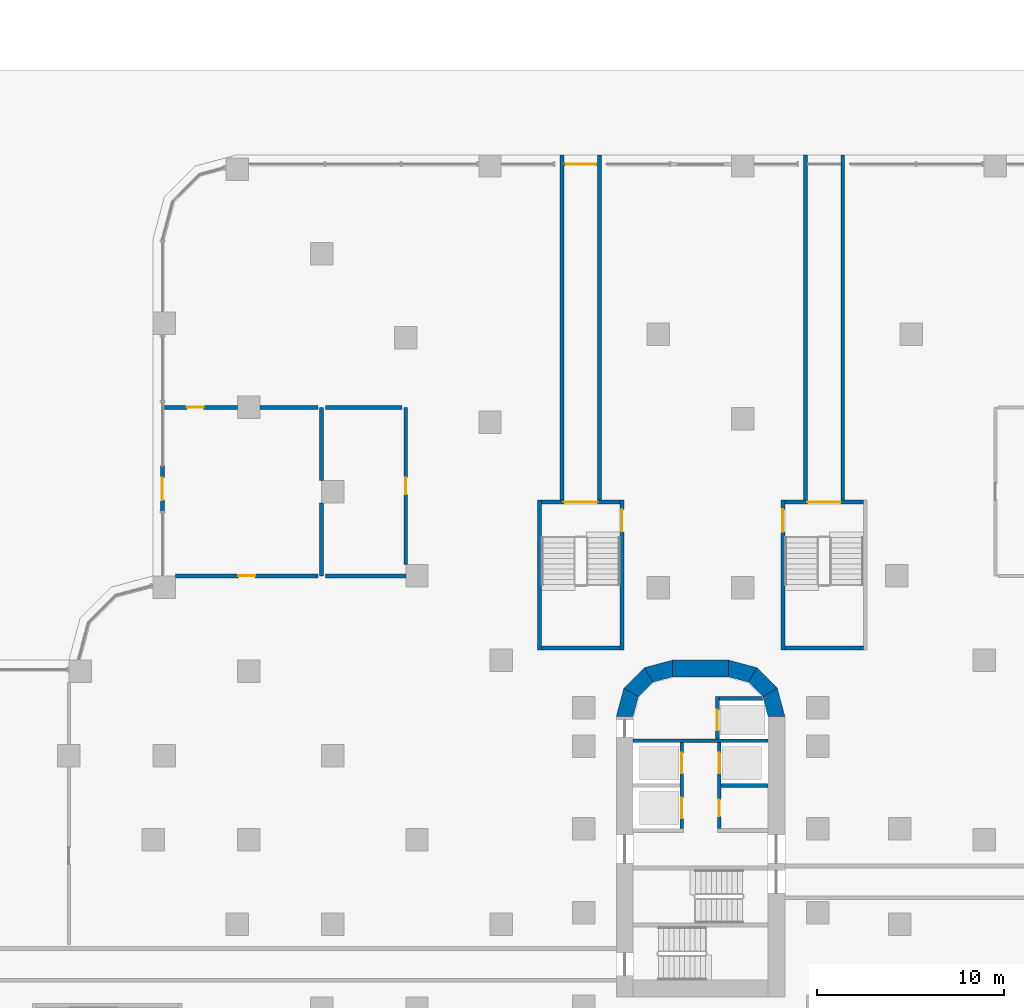
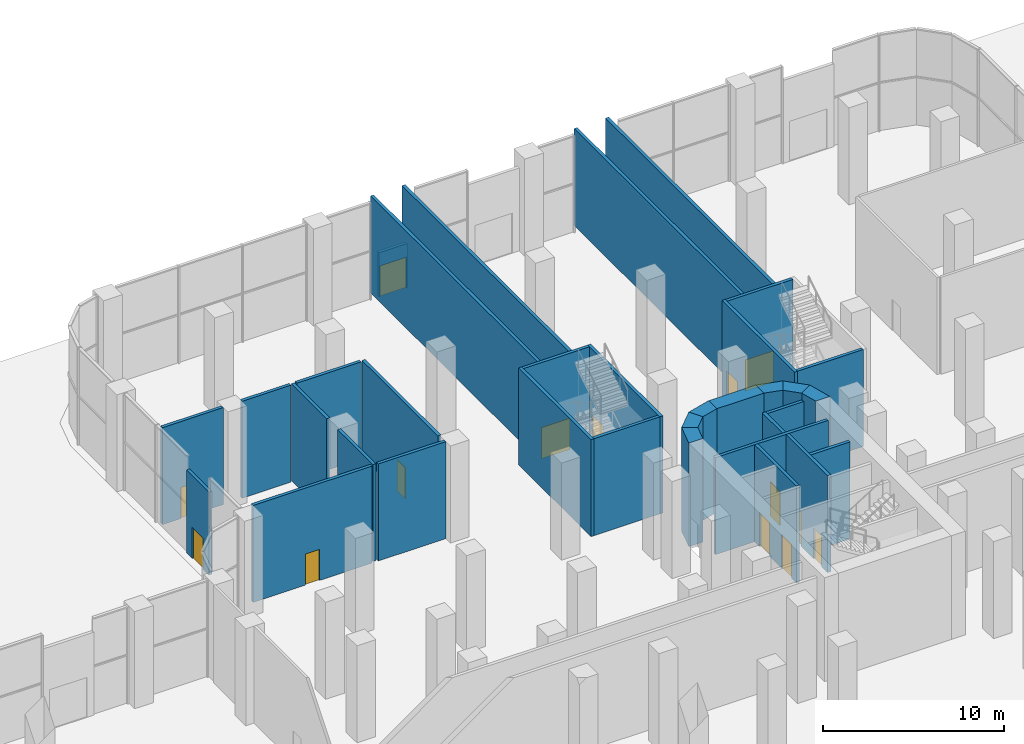
# One storey, part 25 of 34: 34 walls, 14 doors, 14 openings.
"""IFC4 building model written with IfcOpenShell, lengths in metres."""

import ifcopenshell
import ifcopenshell.guid

model = None  # the IFC model being written
_history = None  # IfcOwnerHistory: only IFC2X3 demands one
_inside = {}  # id of a spatial element -> (the spatial element, [elements in it])
_under = {}  # id of a project, library or spatial element -> (it, [spatial elements below it])
_declared = {}  # id of a project -> (the project, [libraries it declares])
_typed = {}  # id of a type object -> (the type object, [elements of that type])
_made_of = {}  # id of a material, layer set ... -> (it, [elements and type objects made of it])


def new_model(schema):
    """Start an empty IFC model of exactly this schema.

    Asked for "IFC4X3", IfcOpenShell would pick the latest addendum, in which some entities
    have other attributes; the version numbers below select the first issue.
    IFC2X3 requires an IfcOwnerHistory on every rooted entity: one is made here for all.
    """
    global model, _history
    if schema == "IFC4X3":
        model = ifcopenshell.file(schema_version=(4, 3, 0, 0))
    else:
        model = ifcopenshell.file(schema=schema)
    _inside.clear()
    _under.clear()
    _declared.clear()
    _typed.clear()
    _made_of.clear()
    _history = None
    if model.schema == "IFC2X3":
        org = make("IfcOrganization", Name="unknown")
        user = make(
            "IfcPersonAndOrganization",
            ThePerson=make("IfcPerson", FamilyName="unknown"),
            TheOrganization=org,
        )
        app = make(
            "IfcApplication",
            ApplicationDeveloper=org,
            Version="unknown",
            ApplicationFullName="unknown",
            ApplicationIdentifier="unknown",
        )
        _history = make(
            "IfcOwnerHistory",
            OwningUser=user,
            OwningApplication=app,
            ChangeAction="ADDED",
            CreationDate=0,
        )
    return model


def make(cls, **values):
    """One entity of the class cls with the attributes given. An attribute that is None is left unset."""
    return model.create_entity(
        cls, **{name: value for name, value in values.items() if value is not None}
    )


def rooted(cls, **values):
    """An entity with a GlobalId (a new one), such as an element, a storey or a relation."""
    return make(cls, GlobalId=ifcopenshell.guid.new(), OwnerHistory=_history, **values)


def si_unit(unit_type, name, prefix=None):
    """IfcSIUnit, for example si_unit("LENGTHUNIT", "METRE", prefix="MILLI")."""
    return make("IfcSIUnit", UnitType=unit_type, Prefix=prefix, Name=name)


def assignment(units):
    """IfcUnitAssignment: the units of a project."""
    return None if units is None else make("IfcUnitAssignment", Units=units)


def point(xyz):
    """IfcCartesianPoint."""
    return None if xyz is None else make("IfcCartesianPoint", Coordinates=xyz)


def direction(xyz):
    """IfcDirection."""
    return None if xyz is None else make("IfcDirection", DirectionRatios=xyz)


def frame(location, z_axis=None, x_axis=None):
    """IfcAxis2Placement3D, a coordinate frame: its origin and axes. An axis left out is left unset."""
    return make(
        "IfcAxis2Placement3D",
        Location=point(location),
        Axis=direction(z_axis),
        RefDirection=direction(x_axis),
    )


def frame_2d(location, x_axis=None):
    """IfcAxis2Placement2D, a coordinate frame in the plane: its origin and x axis."""
    return make(
        "IfcAxis2Placement2D", Location=point(location), RefDirection=direction(x_axis)
    )


def origin():
    """The frame at (0, 0, 0) with its axes left unset."""
    return frame((0.0, 0.0, 0.0))


def place(relative_to, where):
    """IfcLocalPlacement: puts the frame where relative to a parent placement (None: the world)."""
    return make(
        "IfcLocalPlacement", PlacementRelTo=relative_to, RelativePlacement=where
    )


def context(
    kind, dimensions, precision=None, world=None, true_north=None, identifier=None
):
    """IfcGeometricRepresentationContext, for example the 3D "Model" context."""
    return make(
        "IfcGeometricRepresentationContext",
        ContextIdentifier=identifier,
        ContextType=kind,
        CoordinateSpaceDimension=dimensions,
        Precision=precision,
        WorldCoordinateSystem=world,
        TrueNorth=true_north,
    )


def subcontext(parent, identifier, kind, view, scale=None):
    """IfcGeometricRepresentationSubContext, for example "Body" below "Model"."""
    return make(
        "IfcGeometricRepresentationSubContext",
        ContextIdentifier=identifier,
        ContextType=kind,
        ParentContext=parent,
        TargetScale=scale,
        TargetView=view,
    )


def project(units=None, contexts=None):
    """IfcProject with its units and contexts."""
    return rooted(
        "IfcProject",
        Name="project",
        RepresentationContexts=contexts,
        UnitsInContext=assignment(units),
    )


def spatial(cls, under=None, at=None, **own):
    """A site, building, storey or space (cls), placed at a placement, below another one or the project."""
    s = rooted(cls, ObjectPlacement=at, **own)
    if under is not None:
        _under.setdefault(under.id(), (under, []))[1].append(s)
    return s


def polyline(points):
    """IfcPolyline through the points."""
    return make("IfcPolyline", Points=[point(p) for p in points])


def profile(cls, at=None, kind="AREA", **sizes):
    """A parametric profile (cls). Its sizes go by their IFC names, for example OverallWidth=200.0."""
    return make(cls, ProfileType=kind, Position=at, **sizes)


def rectangle(**sizes):
    """IfcRectangleProfileDef."""
    return profile("IfcRectangleProfileDef", **sizes)


def outline(outer, holes=None, kind="AREA"):
    """IfcArbitraryClosedProfileDef: a profile drawn as a closed curve; with holes, ...WithVoids."""
    if holes is None:
        return make("IfcArbitraryClosedProfileDef", ProfileType=kind, OuterCurve=outer)
    return make(
        "IfcArbitraryProfileDefWithVoids",
        ProfileType=kind,
        OuterCurve=outer,
        InnerCurves=holes,
    )


def extrude(swept, where, along, depth):
    """IfcExtrudedAreaSolid: the profile swept, set in the frame where, extruded along a direction by depth."""
    return make(
        "IfcExtrudedAreaSolid",
        SweptArea=swept,
        Position=where,
        ExtrudedDirection=direction(along),
        Depth=depth,
    )


def shape(context_of_items, identifier, shape_type, items):
    """IfcShapeRepresentation: the items that make up one representation, for example the "Body"."""
    return make(
        "IfcShapeRepresentation",
        ContextOfItems=context_of_items,
        RepresentationIdentifier=identifier,
        RepresentationType=shape_type,
        Items=items,
    )


def material(Name=None, Category=None):
    """IfcMaterial."""
    return make("IfcMaterial", Name=Name, Category=Category)


def layer(
    of_material, thickness, ventilated=None, Name=None, Category=None, Priority=None
):
    """IfcMaterialLayer: one layer of a wall or slab, of a material (None: an air gap)."""
    return make(
        "IfcMaterialLayer",
        Material=of_material,
        LayerThickness=thickness,
        IsVentilated=ventilated,
        Name=Name,
        Category=Category,
        Priority=Priority,
    )


def layer_set(layers, Name=None):
    """IfcMaterialLayerSet."""
    return make("IfcMaterialLayerSet", MaterialLayers=layers, LayerSetName=Name)


def made_of(thing, what):
    """Note that an element or type object is made of a material, layer set ...; save() writes the relation."""
    if what is not None:
        _made_of.setdefault(what.id(), (what, []))[1].append(thing)
    return thing


def type_object(cls, material=None, **own):
    """A type object (cls), such as IfcWallType, which elements share."""
    return made_of(rooted(cls, **own), material)


def element(
    cls,
    number,
    at=None,
    inside=None,
    cuts=None,
    type_object=None,
    material=None,
    context=None,
    identifier="Body",
    shape_type=None,
    held_by="IfcProductDefinitionShape",
    body=None,
    shapes=None,
    **own,
):
    """One element of the class cls, such as IfcWall. Its Tag is "e" and its number.

    at: its placement. inside: the storey or other place that contains it. cuts: it is an
    opening in that element (IfcRelVoidsElement). A single representation is given by context,
    identifier, shape_type and body (its items); several are given by shapes. held_by: the class
    of the entity that holds the representations. save() writes the other relations.
    """
    e = rooted(cls, Tag="e%d" % number, ObjectPlacement=at, **own)
    if body is not None:
        shapes = [shape(context, identifier, shape_type, body)]
    if shapes is not None:
        e.Representation = make(held_by, Representations=shapes)
    if inside is not None:
        _inside.setdefault(inside.id(), (inside, []))[1].append(e)
    if cuts is not None:
        rooted(
            "IfcRelVoidsElement", RelatingBuildingElement=cuts, RelatedOpeningElement=e
        )
    if type_object is not None:
        _typed.setdefault(type_object.id(), (type_object, []))[1].append(e)
    return made_of(e, material)


def fill(opening, filler):
    """IfcRelFillsElement: the door or window that sits in an opening."""
    return rooted(
        "IfcRelFillsElement",
        RelatingOpeningElement=opening,
        RelatedBuildingElement=filler,
    )


def aggregate(whole, parts):
    """IfcRelAggregates: a whole, such as a stair, and the parts it consists of."""
    return rooted("IfcRelAggregates", RelatingObject=whole, RelatedObjects=parts)


def save(model, path):
    """Write the relations noted so far, then the file.

    IfcRelAggregates (storeys below a building ...), IfcRelContainedInSpatialStructure (elements
    in a storey), IfcRelDefinesByType, IfcRelAssociatesMaterial and IfcRelDeclares: one each for
    every whole, place, type object, material and project.
    """
    for whole, parts in _under.values():
        aggregate(whole, parts)
    for where, things in _inside.values():
        rooted(
            "IfcRelContainedInSpatialStructure",
            RelatedElements=things,
            RelatingStructure=where,
        )
    for kind, things in _typed.values():
        rooted("IfcRelDefinesByType", RelatedObjects=things, RelatingType=kind)
    for what, things in _made_of.values():
        rooted("IfcRelAssociatesMaterial", RelatedObjects=things, RelatingMaterial=what)
    for by, libraries in _declared.values():
        rooted("IfcRelDeclares", RelatingContext=by, RelatedDefinitions=libraries)
    model.write(path)


model = new_model("IFC4")

# Units and contexts
model_context = context("Model", 3, precision=1e-05, world=origin(), true_north=direction((0.0, 1.0)))
body_context = subcontext(model_context, "Body", "Model", "MODEL_VIEW")
ifc_project = project(units=[si_unit("LENGTHUNIT", "METRE"), si_unit("AREAUNIT", "SQUARE_METRE"), si_unit("VOLUMEUNIT", "CUBIC_METRE"), si_unit("PLANEANGLEUNIT", "RADIAN"), si_unit("MASSUNIT", "GRAM", prefix="KILO")], contexts=[model_context])

# Site, building, storey
site_placement = place(None, origin())
site = spatial("IfcSite", under=ifc_project, at=site_placement, CompositionType="ELEMENT")
building_placement = place(site_placement, origin())
building = spatial("IfcBuilding", under=site, at=building_placement, Name="Zarbagh Exchange Tower", CompositionType="ELEMENT")
storey_placement = place(building_placement, origin())
storey = spatial("IfcBuildingStorey", under=building, at=storey_placement, Name="L00", CompositionType="ELEMENT", Elevation=0.0)

# Walls
ifc_material_1 = material(Name="Concrete block partition", Category="concrete")
ifc_layer_1 = layer(ifc_material_1, 0.199951171875)
ifc_layer_set_1 = layer_set([ifc_layer_1], Name="Fire-rated block partition 200 EI 120")
wall_type_1 = type_object("IfcWallType", Name="Fire-rated block partition 200 EI 120", PredefinedType="PARTITIONING", material=ifc_layer_set_1)
for number, where, z_axis, x_axis, name in (
    (1, (-20.25, 42.75, 0.0), (0.0, 0.0, 1.0), (0.0, -1.0, 0.0), "WL-L00-W011"),
    (2, (-20.25, 37.64990234375, 0.0), (0.0, 0.0, 1.0), (0.0, -1.0, 0.0), "WL-L00-W012"),
):
    element("IfcWall", number, at=place(storey_placement, frame(where, z_axis=z_axis, x_axis=x_axis)), inside=storey, type_object=wall_type_1, Name=name, PredefinedType="PARTITIONING", context=body_context, shape_type="SweptSolid", body=[
        extrude(rectangle(XDim=3.89990234375, YDim=0.199951171875, at=frame_2d((1.949951171875, 0.0))), origin(), (0.0, 0.0, 1.0), 6.550048828125),
    ])

# Wall, opening, door
wall_1_placement = place(storey_placement, frame((-28.64990234375, 42.75, 0.0), z_axis=(0.0, 0.0, 1.0), x_axis=(1.0, 0.0, 0.0)))
wall_1 = element("IfcWall", 3, at=wall_1_placement, inside=storey, type_object=wall_type_1, Name="WL-L00-W013", PredefinedType="PARTITIONING", context=body_context, shape_type="SweptSolid", body=[
    extrude(rectangle(XDim=3.89990234375, YDim=0.199951171875, at=frame_2d((1.949951171875, 0.0))), origin(), (0.0, 0.0, 1.0), 6.550048828125),
])
opening_1_placement = place(wall_1_placement, frame((1.199951171875, 0.0, 0.0)))
opening_1 = element("IfcOpeningElement", 4, at=opening_1_placement, cuts=wall_1, Name="Opening D36", PredefinedType="OPENING", context=body_context, shape_type="SweptSolid", body=[
    extrude(rectangle(XDim=0.89990234375, YDim=2.10009765625, at=frame_2d((0.449951171875, 1.050048828125))), frame((0.0, 0.10986328125, 0.0), z_axis=(0.0, -1.0, 0.0), x_axis=(1.0, 0.0, 0.0)), (0.0, 0.0, 1.0), 0.219970703125),
])
ifc_material_2 = material(Name="Steel door set", Category="steel")
door_type_1 = type_object("IfcDoorType", Name="Door single 900x2100 EI 120", OperationType="SINGLE_SWING_LEFT", PredefinedType="DOOR", material=ifc_material_2)
door_1_placement = place(opening_1_placement, origin())
door_1 = element("IfcDoor", 5, at=door_1_placement, inside=storey, type_object=door_type_1, Name="D03", OperationType="SINGLE_SWING_LEFT", OverallHeight=2.10009765625, OverallWidth=0.89990234375, PredefinedType="DOOR", context=body_context, shape_type="SweptSolid", body=[
    extrude(rectangle(XDim=0.89990234375, YDim=2.10009765625, at=frame_2d((0.449951171875, 1.050048828125))), frame((0.0, 0.02490234375, 0.0), z_axis=(0.0, -1.0, 0.0), x_axis=(1.0, 0.0, 0.0)), (0.0, 0.0, 1.0), 0.050048828125),
])
fill(opening_1, door_1)

# Wall
wall_2_placement = place(storey_placement, frame((-23.550048828125, 42.75, 0.0), z_axis=(0.0, 0.0, 1.0), x_axis=(1.0, 0.0, 0.0)))
element("IfcWall", 6, at=wall_2_placement, inside=storey, type_object=wall_type_1, Name="WL-L00-W014", PredefinedType="PARTITIONING", context=body_context, shape_type="SweptSolid", body=[
    extrude(rectangle(XDim=3.10009765625, YDim=0.199951171875, at=frame_2d((1.550048828125, 0.0))), origin(), (0.0, 0.0, 1.0), 6.550048828125),
])

# Wall, opening, door
wall_3_placement = place(storey_placement, frame((-28.050048828125, 33.75, 0.0), z_axis=(0.0, 0.0, 1.0), x_axis=(1.0, 0.0, 0.0)))
wall_3 = element("IfcWall", 7, at=wall_3_placement, inside=storey, type_object=wall_type_1, Name="WL-L00-W015", PredefinedType="PARTITIONING", context=body_context, shape_type="SweptSolid", body=[
    extrude(rectangle(XDim=7.60009765625, YDim=0.199951171875, at=frame_2d((3.800048828125, 0.0))), origin(), (0.0, 0.0, 1.0), 6.550048828125),
])
opening_2_placement = place(wall_3_placement, frame((3.35009765625, 0.0, 0.0)))
opening_2 = element("IfcOpeningElement", 8, at=opening_2_placement, cuts=wall_3, Name="Opening D40", PredefinedType="OPENING", context=body_context, shape_type="SweptSolid", body=[
    extrude(rectangle(XDim=0.89990234375, YDim=2.10009765625, at=frame_2d((0.449951171875, 1.050048828125))), frame((0.0, 0.10986328125, 0.0), z_axis=(0.0, -1.0, 0.0), x_axis=(1.0, 0.0, 0.0)), (0.0, 0.0, 1.0), 0.219970703125),
])
door_2_placement = place(opening_2_placement, origin())
door_2 = element("IfcDoor", 9, at=door_2_placement, inside=storey, type_object=door_type_1, Name="D04", OperationType="SINGLE_SWING_LEFT", OverallHeight=2.10009765625, OverallWidth=0.89990234375, PredefinedType="DOOR", context=body_context, shape_type="SweptSolid", body=[
    extrude(rectangle(XDim=0.89990234375, YDim=2.10009765625, at=frame_2d((0.449951171875, 1.050048828125))), frame((0.0, 0.02490234375, 0.0), z_axis=(0.0, -1.0, 0.0), x_axis=(1.0, 0.0, 0.0)), (0.0, 0.0, 1.0), 0.050048828125),
])
fill(opening_2, door_2)

ifc_layer_2 = layer(ifc_material_1, 0.199951171875)
ifc_layer_set_2 = layer_set([ifc_layer_2], Name="Fire-rated block partition 200 EI 60")
wall_type_2 = type_object("IfcWallType", Name="Fire-rated block partition 200 EI 60", PredefinedType="PARTITIONING", material=ifc_layer_set_2)
wall_4_placement = place(storey_placement, frame((-15.75, 34.35009765625, 0.0), z_axis=(0.0, 0.0, 1.0), x_axis=(0.0, 1.0, 0.0)))
wall_4 = element("IfcWall", 10, at=wall_4_placement, inside=storey, type_object=wall_type_2, Name="WL-L00-W009", PredefinedType="PARTITIONING", context=body_context, shape_type="SweptSolid", body=[
    extrude(rectangle(XDim=8.39990234375, YDim=0.199951171875, at=frame_2d((4.199951171875, 0.0))), origin(), (0.0, 0.0, 1.0), 6.550048828125),
])
opening_3_placement = place(wall_4_placement, frame((3.75, 0.0, 0.0)))
opening_3 = element("IfcOpeningElement", 11, at=opening_3_placement, cuts=wall_4, Name="Opening D01", PredefinedType="OPENING", context=body_context, shape_type="SweptSolid", body=[
    extrude(rectangle(XDim=0.89990234375, YDim=2.10009765625, at=frame_2d((0.449951171875, 1.050048828125))), frame((0.0, 0.10986328125, 0.0), z_axis=(0.0, -1.0, 0.0), x_axis=(1.0, 0.0, 0.0)), (0.0, 0.0, 1.0), 0.219970703125),
])
door_type_2 = type_object("IfcDoorType", Name="Door single 900x2100 EI 60", OperationType="SINGLE_SWING_LEFT", PredefinedType="DOOR", material=ifc_material_2)
door_3_placement = place(opening_3_placement, origin())
door_3 = element("IfcDoor", 12, at=door_3_placement, inside=storey, type_object=door_type_2, Name="D01", OperationType="SINGLE_SWING_LEFT", OverallHeight=2.10009765625, OverallWidth=0.89990234375, PredefinedType="DOOR", context=body_context, shape_type="SweptSolid", body=[
    extrude(rectangle(XDim=0.89990234375, YDim=2.10009765625, at=frame_2d((0.449951171875, 1.050048828125))), frame((0.0, 0.02490234375, 0.0), z_axis=(0.0, -1.0, 0.0), x_axis=(1.0, 0.0, 0.0)), (0.0, 0.0, 1.0), 0.050048828125),
])
fill(opening_3, door_3)

# Walls
wall_5_placement = place(storey_placement, frame((-20.050048828125, 42.75, 0.0), z_axis=(0.0, 0.0, 1.0), x_axis=(1.0, 0.0, 0.0)))
element("IfcWall", 13, at=wall_5_placement, inside=storey, type_object=wall_type_2, Name="WL-L00-W016", PredefinedType="PARTITIONING", context=body_context, shape_type="SweptSolid", body=[
    extrude(rectangle(XDim=4.10009765625, YDim=0.199951171875, at=frame_2d((2.050048828125, 0.0))), origin(), (0.0, 0.0, 1.0), 6.550048828125),
])
wall_6_placement = place(storey_placement, frame((-15.75, 33.75, 0.0), z_axis=(0.0, 0.0, 1.0), x_axis=(-1.0, 0.0, 0.0)))
element("IfcWall", 14, at=wall_6_placement, inside=storey, type_object=wall_type_2, Name="WL-L00-W017", PredefinedType="PARTITIONING", context=body_context, shape_type="SweptSolid", body=[
    extrude(rectangle(XDim=4.300048828125, YDim=0.199951171875, at=frame_2d((2.14990234375, 0.0))), origin(), (0.0, 0.0, 1.0), 6.550048828125),
])
ifc_material_3 = material(Name="Concrete C60/75", Category="concrete")
ifc_layer_3 = layer(ifc_material_3, 0.89990234375)
ifc_layer_set_3 = layer_set([ifc_layer_3], Name="RC core corner wall 900 C60/75")
wall_type_3 = type_object("IfcWallType", Name="RC core corner wall 900 C60/75", PredefinedType="SHEAR", material=ifc_layer_set_3)
wall_7_placement = place(storey_placement, origin())
element("IfcWall", 15, at=wall_7_placement, inside=storey, type_object=wall_type_3, Name="CW2 core N corner W", PredefinedType="SHEAR", context=body_context, shape_type="SweptSolid", body=[
    extrude(outline(polyline([(-4.5, 26.25), (-4.09814453125, 27.75), (-3.318603515625, 27.300048828125), (-3.60009765625, 26.25), (-4.5, 26.25)])), origin(), (0.0, 0.0, 1.0), 7.0),
])
wall_8_placement = place(storey_placement, origin())
element("IfcWall", 16, at=wall_8_placement, inside=storey, type_object=wall_type_3, Name="CW2 core N corner W", PredefinedType="SHEAR", context=body_context, shape_type="SweptSolid", body=[
    extrude(outline(polyline([(-4.09814453125, 27.75), (-3.0, 28.84814453125), (-2.550048828125, 28.068603515625), (-3.318603515625, 27.300048828125), (-4.09814453125, 27.75)])), origin(), (0.0, 0.0, 1.0), 7.0),
])
wall_9_placement = place(storey_placement, origin())
element("IfcWall", 17, at=wall_9_placement, inside=storey, type_object=wall_type_3, Name="CW2 core N corner W", PredefinedType="SHEAR", context=body_context, shape_type="SweptSolid", body=[
    extrude(outline(polyline([(-3.0, 28.84814453125), (-1.5, 29.25), (-1.5, 28.35009765625), (-2.550048828125, 28.068603515625), (-3.0, 28.84814453125)])), origin(), (0.0, 0.0, 1.0), 7.0),
])
wall_10_placement = place(storey_placement, origin())
element("IfcWall", 18, at=wall_10_placement, inside=storey, type_object=wall_type_3, Name="CW2 core N corner E", PredefinedType="SHEAR", context=body_context, shape_type="SweptSolid", body=[
    extrude(outline(polyline([(4.5, 26.25), (4.09814453125, 27.75), (3.318603515625, 27.300048828125), (3.60009765625, 26.25), (4.5, 26.25)])), origin(), (0.0, 0.0, 1.0), 7.0),
])
wall_11_placement = place(storey_placement, origin())
element("IfcWall", 19, at=wall_11_placement, inside=storey, type_object=wall_type_3, Name="CW2 core N corner E", PredefinedType="SHEAR", context=body_context, shape_type="SweptSolid", body=[
    extrude(outline(polyline([(4.09814453125, 27.75), (3.0, 28.84814453125), (2.550048828125, 28.068603515625), (3.318603515625, 27.300048828125), (4.09814453125, 27.75)])), origin(), (0.0, 0.0, 1.0), 7.0),
])
wall_12_placement = place(storey_placement, origin())
element("IfcWall", 20, at=wall_12_placement, inside=storey, type_object=wall_type_3, Name="CW2 core N corner E", PredefinedType="SHEAR", context=body_context, shape_type="SweptSolid", body=[
    extrude(outline(polyline([(3.0, 28.84814453125), (1.5, 29.25), (1.5, 28.35009765625), (2.550048828125, 28.068603515625), (3.0, 28.84814453125)])), origin(), (0.0, 0.0, 1.0), 7.0),
])
ifc_layer_4 = layer(ifc_material_3, 0.89990234375)
ifc_layer_set_4 = layer_set([ifc_layer_4], Name="RC core wall 900 C60/75")
wall_type_4 = type_object("IfcWallType", Name="RC core wall 900 C60/75", PredefinedType="SHEAR", material=ifc_layer_set_4)
wall_13_placement = place(storey_placement, frame((-1.5, 28.800048828125, 0.0), z_axis=(0.0, 0.0, 1.0), x_axis=(1.0, 0.0, 0.0)))
element("IfcWall", 21, at=wall_13_placement, inside=storey, type_object=wall_type_4, Name="CW1 core N outer end", PredefinedType="SHEAR", context=body_context, shape_type="SweptSolid", body=[
    extrude(rectangle(XDim=3.0, YDim=0.89990234375, at=frame_2d((1.5, 0.0))), origin(), (0.0, 0.0, 1.0), 7.0),
])

# Wall, openings, doors
ifc_material_4 = material(Name="Dense blockwork", Category="masonry")
ifc_layer_5 = layer(ifc_material_4, 0.199951171875)
ifc_layer_set_5 = layer_set([ifc_layer_5], Name="Shaft wall 200 mm blockwork")
wall_type_5 = type_object("IfcWallType", Name="Shaft wall 200 mm blockwork", PredefinedType="PARTITIONING", material=ifc_layer_set_5)
wall_14_placement = place(storey_placement, frame((-1.0, 24.85009765625, 0.0), z_axis=(0.0, 0.0, 1.0), x_axis=(0.0, -1.0, 0.0)))
wall_14 = element("IfcWall", 22, at=wall_14_placement, inside=storey, type_object=wall_type_5, Name="North core shaft wall LW-W", PredefinedType="PARTITIONING", context=body_context, shape_type="SweptSolid", body=[
    extrude(rectangle(XDim=4.60009765625, YDim=0.199951171875, at=frame_2d((2.300048828125, 0.0))), origin(), (0.0, 0.0, 1.0), 6.550048828125),
])
opening_4_placement = place(wall_14_placement, frame((0.550048828125, 0.0, 0.0)))
opening_4 = element("IfcOpeningElement", 23, at=opening_4_placement, cuts=wall_14, Name="Opening LD-1100", PredefinedType="OPENING", context=body_context, shape_type="SweptSolid", body=[
    extrude(rectangle(XDim=1.10009765625, YDim=2.300048828125, at=frame_2d((0.550048828125, 1.14990234375))), frame((0.0, 0.10986328125, 0.0), z_axis=(0.0, -1.0, 0.0), x_axis=(1.0, 0.0, 0.0)), (0.0, 0.0, 1.0), 0.219970703125),
])
opening_5_placement = place(wall_14_placement, frame((2.949951171875, 0.0, 0.0)))
opening_5 = element("IfcOpeningElement", 24, at=opening_5_placement, cuts=wall_14, Name="Opening LD-1100", PredefinedType="OPENING", context=body_context, shape_type="SweptSolid", body=[
    extrude(rectangle(XDim=1.10009765625, YDim=2.300048828125, at=frame_2d((0.550048828125, 1.14990234375))), frame((0.0, 0.10986328125, 0.0), z_axis=(0.0, -1.0, 0.0), x_axis=(1.0, 0.0, 0.0)), (0.0, 0.0, 1.0), 0.219970703125),
])
ifc_material_5 = material(Name="Stainless steel", Category="steel")
door_type_3 = type_object("IfcDoorType", Name="Lift landing door 1100 x 2300", OperationType="NOTDEFINED", PredefinedType="DOOR", material=ifc_material_5)
door_4_placement = place(opening_4_placement, origin())
door_4 = element("IfcDoor", 25, at=door_4_placement, inside=storey, type_object=door_type_3, Name="North core lift landing door LD-P-N1", OperationType="DOUBLE_DOOR_SLIDING", OverallHeight=2.300048828125, OverallWidth=1.10009765625, PredefinedType="DOOR", context=body_context, shape_type="SweptSolid", body=[
    extrude(rectangle(XDim=1.10009765625, YDim=2.300048828125, at=frame_2d((0.550048828125, 1.14990234375))), frame((0.0, 0.02490234375, 0.0), z_axis=(0.0, -1.0, 0.0), x_axis=(1.0, 0.0, 0.0)), (0.0, 0.0, 1.0), 0.050048828125),
])
fill(opening_4, door_4)
door_5_placement = place(opening_5_placement, origin())
door_5 = element("IfcDoor", 26, at=door_5_placement, inside=storey, type_object=door_type_3, Name="North core lift landing door LD-P-N2", OperationType="DOUBLE_DOOR_SLIDING", OverallHeight=2.300048828125, OverallWidth=1.10009765625, PredefinedType="DOOR", context=body_context, shape_type="SweptSolid", body=[
    extrude(rectangle(XDim=1.10009765625, YDim=2.300048828125, at=frame_2d((0.550048828125, 1.14990234375))), frame((0.0, 0.02490234375, 0.0), z_axis=(0.0, -1.0, 0.0), x_axis=(1.0, 0.0, 0.0)), (0.0, 0.0, 1.0), 0.050048828125),
])
fill(opening_5, door_5)

wall_15_placement = place(storey_placement, frame((1.0, 24.85009765625, 0.0), z_axis=(0.0, 0.0, 1.0), x_axis=(0.0, -1.0, 0.0)))
wall_15 = element("IfcWall", 27, at=wall_15_placement, inside=storey, type_object=wall_type_5, Name="North core shaft wall LW-E", PredefinedType="PARTITIONING", context=body_context, shape_type="SweptSolid", body=[
    extrude(rectangle(XDim=4.60009765625, YDim=0.199951171875, at=frame_2d((2.300048828125, 0.0))), origin(), (0.0, 0.0, 1.0), 6.550048828125),
])
opening_6_placement = place(wall_15_placement, frame((0.550048828125, 0.0, 0.0)))
opening_6 = element("IfcOpeningElement", 28, at=opening_6_placement, cuts=wall_15, Name="Opening LD-1100", PredefinedType="OPENING", context=body_context, shape_type="SweptSolid", body=[
    extrude(rectangle(XDim=1.10009765625, YDim=2.300048828125, at=frame_2d((0.550048828125, 1.14990234375))), frame((0.0, 0.10986328125, 0.0), z_axis=(0.0, -1.0, 0.0), x_axis=(1.0, 0.0, 0.0)), (0.0, 0.0, 1.0), 0.219970703125),
])
opening_7_placement = place(wall_15_placement, frame((3.050048828125, 0.0, 0.0)))
opening_7 = element("IfcOpeningElement", 29, at=opening_7_placement, cuts=wall_15, Name="Opening CD3-900", PredefinedType="OPENING", context=body_context, shape_type="SweptSolid", body=[
    extrude(rectangle(XDim=0.89990234375, YDim=2.10009765625, at=frame_2d((0.449951171875, 1.050048828125))), frame((0.0, 0.10986328125, 0.0), z_axis=(0.0, -1.0, 0.0), x_axis=(1.0, 0.0, 0.0)), (0.0, 0.0, 1.0), 0.219970703125),
])
ifc_material_6 = material(Name="Steel", Category="steel")
door_type_4 = type_object("IfcDoorType", Name="Core room door 900 x 2100", OperationType="NOTDEFINED", PredefinedType="DOOR", material=ifc_material_6)
door_6_placement = place(opening_7_placement, origin())
door_6 = element("IfcDoor", 30, at=door_6_placement, inside=storey, type_object=door_type_4, Name="North core Accessible WC door RD-E-0", OperationType="SINGLE_SWING_RIGHT", OverallHeight=2.10009765625, OverallWidth=0.89990234375, PredefinedType="DOOR", context=body_context, shape_type="SweptSolid", body=[
    extrude(rectangle(XDim=0.89990234375, YDim=2.10009765625, at=frame_2d((0.449951171875, 1.050048828125))), frame((0.0, 0.02490234375, 0.0), z_axis=(0.0, -1.0, 0.0), x_axis=(1.0, 0.0, 0.0)), (0.0, 0.0, 1.0), 0.050048828125),
])
fill(opening_7, door_6)
door_7_placement = place(opening_6_placement, origin())
door_7 = element("IfcDoor", 31, at=door_7_placement, inside=storey, type_object=door_type_3, Name="North core lift landing door LD-P-N3", OperationType="DOUBLE_DOOR_SLIDING", OverallHeight=2.300048828125, OverallWidth=1.10009765625, PredefinedType="DOOR", context=body_context, shape_type="SweptSolid", body=[
    extrude(rectangle(XDim=1.10009765625, YDim=2.300048828125, at=frame_2d((0.550048828125, 1.14990234375))), frame((0.0, 0.02490234375, 0.0), z_axis=(0.0, -1.0, 0.0), x_axis=(1.0, 0.0, 0.0)), (0.0, 0.0, 1.0), 0.050048828125),
])
fill(opening_6, door_7)

# Walls
wall_16_placement = place(storey_placement, frame((1.10009765625, 22.550048828125, 0.0), z_axis=(0.0, 0.0, 1.0), x_axis=(1.0, 0.0, 0.0)))
element("IfcWall", 32, at=wall_16_placement, inside=storey, type_object=wall_type_5, Name="North core shaft wall TR-E", PredefinedType="PARTITIONING", context=body_context, shape_type="SweptSolid", body=[
    extrude(rectangle(XDim=2.5, YDim=0.199951171875, at=frame_2d((1.25, 0.0))), origin(), (0.0, 0.0, 1.0), 6.550048828125),
])
for number, where, z_axis, x_axis, name in (
    (33, (-7.39990234375, 37.60009765625, 0.0), (0.0, 0.0, 1.0), (0.0, 1.0, 0.0), "Exit passage PS1 wall A"),
    (34, (-5.39990234375, 37.60009765625, 0.0), (0.0, 0.0, 1.0), (0.0, 1.0, 0.0), "Exit passage PS1 wall B"),
    (35, (5.60009765625, 37.60009765625, 0.0), (0.0, 0.0, 1.0), (0.0, 1.0, 0.0), "Exit passage PS2 wall A"),
    (36, (7.60009765625, 37.60009765625, 0.0), (0.0, 0.0, 1.0), (0.0, 1.0, 0.0), "Exit passage PS2 wall B"),
):
    element("IfcWall", number, at=place(storey_placement, frame(where, z_axis=z_axis, x_axis=x_axis)), inside=storey, type_object=wall_type_5, Name=name, PredefinedType="PARTITIONING", context=body_context, shape_type="SweptSolid", body=[
        extrude(rectangle(XDim=18.64990234375, YDim=0.199951171875, at=frame_2d((9.324951171875, 0.0))), origin(), (0.0, 0.0, 1.0), 6.550048828125),
    ])
ifc_material_7 = material(Name="Concrete C40/50", Category="concrete")
ifc_layer_6 = layer(ifc_material_7, 0.199951171875)
ifc_layer_set_6 = layer_set([ifc_layer_6], Name="Stair enclosure wall 200 mm RC C40/50")
wall_type_6 = type_object("IfcWallType", Name="Stair enclosure wall 200 mm RC C40/50", PredefinedType="SHEAR", material=ifc_layer_set_6)
wall_17_placement = place(storey_placement, frame((-3.60009765625, 24.949951171875, 0.0), z_axis=(0.0, 0.0, 1.0), x_axis=(1.0, 0.0, 0.0)))
element("IfcWall", 37, at=wall_17_placement, inside=storey, type_object=wall_type_6, Name="North core lift shaft wall FFA", PredefinedType="SHEAR", context=body_context, shape_type="SweptSolid", body=[
    extrude(rectangle(XDim=7.2001953125, YDim=0.199951171875, at=frame_2d((3.60009765625, 0.0))), origin(), (0.0, 0.0, 1.0), 6.550048828125),
])

# Wall, opening, door
wall_18_placement = place(storey_placement, frame((0.89990234375, 27.300048828125, 0.0), z_axis=(0.0, 0.0, 1.0), x_axis=(0.0, -1.0, 0.0)))
wall_18 = element("IfcWall", 38, at=wall_18_placement, inside=storey, type_object=wall_type_6, Name="North core lift shaft wall FFL", PredefinedType="SHEAR", context=body_context, shape_type="SweptSolid", body=[
    extrude(rectangle(XDim=2.25, YDim=0.199951171875, at=frame_2d((1.125, 0.0))), origin(), (0.0, 0.0, 1.0), 6.550048828125),
])
opening_8_placement = place(wall_18_placement, frame((0.699951171875, 0.0, 0.0)))
opening_8 = element("IfcOpeningElement", 39, at=opening_8_placement, cuts=wall_18, Name="Opening LD-1100", PredefinedType="OPENING", context=body_context, shape_type="SweptSolid", body=[
    extrude(rectangle(XDim=1.10009765625, YDim=2.300048828125, at=frame_2d((0.550048828125, 1.14990234375))), frame((0.0, 0.10986328125, 0.0), z_axis=(0.0, -1.0, 0.0), x_axis=(1.0, 0.0, 0.0)), (0.0, 0.0, 1.0), 0.219970703125),
])
door_8_placement = place(opening_8_placement, origin())
door_8 = element("IfcDoor", 40, at=door_8_placement, inside=storey, type_object=door_type_3, Name="North core lift landing door LD-F", OperationType="DOUBLE_DOOR_SLIDING", OverallHeight=2.300048828125, OverallWidth=1.10009765625, PredefinedType="DOOR", context=body_context, shape_type="SweptSolid", body=[
    extrude(rectangle(XDim=1.10009765625, YDim=2.300048828125, at=frame_2d((0.550048828125, 1.14990234375))), frame((0.0, 0.02490234375, 0.0), z_axis=(0.0, -1.0, 0.0), x_axis=(1.0, 0.0, 0.0)), (0.0, 0.0, 1.0), 0.050048828125),
])
fill(opening_8, door_8)

# Walls
wall_19_placement = place(storey_placement, origin())
element("IfcWall", 41, at=wall_19_placement, inside=storey, type_object=wall_type_6, Name="North core lift shaft wall FFX", PredefinedType="SHEAR", context=body_context, shape_type="SweptSolid", body=[
    extrude(outline(polyline([(1.0, 27.10009765625), (3.340576171875, 27.10009765625), (3.291259765625, 27.2841796875), (3.275390625, 27.300048828125), (1.0, 27.300048828125), (1.0, 27.10009765625)])), origin(), (0.0, 0.0, 1.0), 6.550048828125),
])
wall_20_placement = place(storey_placement, frame((-8.60009765625, 29.800048828125, 0.0), z_axis=(0.0, 0.0, 1.0), x_axis=(0.0, 1.0, 0.0)))
element("IfcWall", 42, at=wall_20_placement, inside=storey, type_object=wall_type_6, Name="Exit stair PS1 enclosure wall W", PredefinedType="SHEAR", context=body_context, shape_type="SweptSolid", body=[
    extrude(rectangle(XDim=8.0, YDim=0.199951171875, at=frame_2d((4.0, 0.0))), origin(), (0.0, 0.0, 1.0), 6.550048828125),
])

# Wall, opening, door
wall_21_placement = place(storey_placement, frame((-4.199951171875, 29.800048828125, 0.0), z_axis=(0.0, 0.0, 1.0), x_axis=(0.0, 1.0, 0.0)))
wall_21 = element("IfcWall", 43, at=wall_21_placement, inside=storey, type_object=wall_type_6, Name="Exit stair PS1 enclosure wall E", PredefinedType="SHEAR", context=body_context, shape_type="SweptSolid", body=[
    extrude(rectangle(XDim=8.0, YDim=0.199951171875, at=frame_2d((4.0, 0.0))), origin(), (0.0, 0.0, 1.0), 6.550048828125),
])
opening_9_placement = place(wall_21_placement, frame((6.300048828125, 0.0, 0.0)))
opening_9 = element("IfcOpeningElement", 44, at=opening_9_placement, cuts=wall_21, Name="Opening SD1-1200", PredefinedType="OPENING", context=body_context, shape_type="SweptSolid", body=[
    extrude(rectangle(XDim=1.199951171875, YDim=2.10009765625, at=frame_2d((0.60009765625, 1.050048828125))), frame((0.0, 0.10986328125, 0.0), z_axis=(0.0, -1.0, 0.0), x_axis=(1.0, 0.0, 0.0)), (0.0, 0.0, 1.0), 0.219970703125),
])
door_type_5 = type_object("IfcDoorType", Name="Exit stair door 1200 x 2100", OperationType="NOTDEFINED", PredefinedType="DOOR", material=ifc_material_6)
door_9_placement = place(opening_9_placement, origin())
door_9 = element("IfcDoor", 45, at=door_9_placement, inside=storey, type_object=door_type_5, Name="Exit stair PS1 entry door", OperationType="SINGLE_SWING_RIGHT", OverallHeight=2.10009765625, OverallWidth=1.199951171875, PredefinedType="DOOR", context=body_context, shape_type="SweptSolid", body=[
    extrude(rectangle(XDim=1.199951171875, YDim=2.10009765625, at=frame_2d((0.60009765625, 1.050048828125))), frame((0.0, 0.02490234375, 0.0), z_axis=(0.0, -1.0, 0.0), x_axis=(1.0, 0.0, 0.0)), (0.0, 0.0, 1.0), 0.050048828125),
])
fill(opening_9, door_9)

# Wall
wall_22_placement = place(storey_placement, frame((-8.5, 29.89990234375, 0.0), z_axis=(0.0, 0.0, 1.0), x_axis=(1.0, 0.0, 0.0)))
element("IfcWall", 46, at=wall_22_placement, inside=storey, type_object=wall_type_6, Name="Exit stair PS1 enclosure wall S", PredefinedType="SHEAR", context=body_context, shape_type="SweptSolid", body=[
    extrude(rectangle(XDim=4.199951171875, YDim=0.199951171875, at=frame_2d((2.10009765625, 0.0))), origin(), (0.0, 0.0, 1.0), 6.550048828125),
])

# Wall, opening, door
wall_23_placement = place(storey_placement, frame((-8.5, 37.699951171875, 0.0), z_axis=(0.0, 0.0, 1.0), x_axis=(1.0, 0.0, 0.0)))
wall_23 = element("IfcWall", 47, at=wall_23_placement, inside=storey, type_object=wall_type_6, Name="Exit stair PS1 enclosure wall N", PredefinedType="SHEAR", context=body_context, shape_type="SweptSolid", body=[
    extrude(rectangle(XDim=4.199951171875, YDim=0.199951171875, at=frame_2d((2.10009765625, 0.0))), origin(), (0.0, 0.0, 1.0), 6.550048828125),
])
opening_10_placement = place(wall_23_placement, frame((1.199951171875, 0.0, 0.0)))
opening_10 = element("IfcOpeningElement", 48, at=opening_10_placement, cuts=wall_23, Name="Opening XD2-1800", PredefinedType="OPENING", context=body_context, shape_type="SweptSolid", body=[
    extrude(rectangle(XDim=1.800048828125, YDim=2.10009765625, at=frame_2d((0.89990234375, 1.050048828125))), frame((0.0, 0.10986328125, 0.0), z_axis=(0.0, -1.0, 0.0), x_axis=(1.0, 0.0, 0.0)), (0.0, 0.0, 1.0), 0.219970703125),
])
door_type_6 = type_object("IfcDoorType", Name="Exit stair discharge door 1800 x 2100", OperationType="NOTDEFINED", PredefinedType="DOOR", material=ifc_material_6)
door_10_placement = place(opening_10_placement, origin())
door_10 = element("IfcDoor", 49, at=door_10_placement, inside=storey, type_object=door_type_6, Name="Exit stair PS1 discharge door", OperationType="DOUBLE_DOOR_SINGLE_SWING", OverallHeight=2.10009765625, OverallWidth=1.800048828125, PredefinedType="DOOR", context=body_context, shape_type="SweptSolid", body=[
    extrude(rectangle(XDim=1.800048828125, YDim=2.10009765625, at=frame_2d((0.89990234375, 1.050048828125))), frame((0.0, 0.02490234375, 0.0), z_axis=(0.0, -1.0, 0.0), x_axis=(1.0, 0.0, 0.0)), (0.0, 0.0, 1.0), 0.050048828125),
])
fill(opening_10, door_10)

wall_24_placement = place(storey_placement, frame((4.39990234375, 29.800048828125, 0.0), z_axis=(0.0, 0.0, 1.0), x_axis=(0.0, 1.0, 0.0)))
wall_24 = element("IfcWall", 50, at=wall_24_placement, inside=storey, type_object=wall_type_6, Name="Exit stair PS2 enclosure wall W", PredefinedType="SHEAR", context=body_context, shape_type="SweptSolid", body=[
    extrude(rectangle(XDim=8.0, YDim=0.199951171875, at=frame_2d((4.0, 0.0))), origin(), (0.0, 0.0, 1.0), 6.550048828125),
])
opening_11_placement = place(wall_24_placement, frame((6.300048828125, 0.0, 0.0)))
opening_11 = element("IfcOpeningElement", 51, at=opening_11_placement, cuts=wall_24, Name="Opening SD1-1200", PredefinedType="OPENING", context=body_context, shape_type="SweptSolid", body=[
    extrude(rectangle(XDim=1.199951171875, YDim=2.10009765625, at=frame_2d((0.60009765625, 1.050048828125))), frame((0.0, 0.10986328125, 0.0), z_axis=(0.0, -1.0, 0.0), x_axis=(1.0, 0.0, 0.0)), (0.0, 0.0, 1.0), 0.219970703125),
])
door_11_placement = place(opening_11_placement, origin())
door_11 = element("IfcDoor", 52, at=door_11_placement, inside=storey, type_object=door_type_5, Name="Exit stair PS2 entry door", OperationType="SINGLE_SWING_LEFT", OverallHeight=2.10009765625, OverallWidth=1.199951171875, PredefinedType="DOOR", context=body_context, shape_type="SweptSolid", body=[
    extrude(rectangle(XDim=1.199951171875, YDim=2.10009765625, at=frame_2d((0.60009765625, 1.050048828125))), frame((0.0, 0.02490234375, 0.0), z_axis=(0.0, -1.0, 0.0), x_axis=(1.0, 0.0, 0.0)), (0.0, 0.0, 1.0), 0.050048828125),
])
fill(opening_11, door_11)

# Wall
wall_25_placement = place(storey_placement, frame((4.5, 29.89990234375, 0.0), z_axis=(0.0, 0.0, 1.0), x_axis=(1.0, 0.0, 0.0)))
element("IfcWall", 53, at=wall_25_placement, inside=storey, type_object=wall_type_6, Name="Exit stair PS2 enclosure wall S", PredefinedType="SHEAR", context=body_context, shape_type="SweptSolid", body=[
    extrude(rectangle(XDim=4.199951171875, YDim=0.199951171875, at=frame_2d((2.10009765625, 0.0))), origin(), (0.0, 0.0, 1.0), 6.550048828125),
])

# Wall, opening, door
wall_26_placement = place(storey_placement, frame((4.5, 37.699951171875, 0.0), z_axis=(0.0, 0.0, 1.0), x_axis=(1.0, 0.0, 0.0)))
wall_26 = element("IfcWall", 54, at=wall_26_placement, inside=storey, type_object=wall_type_6, Name="Exit stair PS2 enclosure wall N", PredefinedType="SHEAR", context=body_context, shape_type="SweptSolid", body=[
    extrude(rectangle(XDim=4.199951171875, YDim=0.199951171875, at=frame_2d((2.10009765625, 0.0))), origin(), (0.0, 0.0, 1.0), 6.550048828125),
])
opening_12_placement = place(wall_26_placement, frame((1.199951171875, 0.0, 0.0)))
opening_12 = element("IfcOpeningElement", 55, at=opening_12_placement, cuts=wall_26, Name="Opening XD2-1800", PredefinedType="OPENING", context=body_context, shape_type="SweptSolid", body=[
    extrude(rectangle(XDim=1.800048828125, YDim=2.10009765625, at=frame_2d((0.89990234375, 1.050048828125))), frame((0.0, 0.10986328125, 0.0), z_axis=(0.0, -1.0, 0.0), x_axis=(1.0, 0.0, 0.0)), (0.0, 0.0, 1.0), 0.219970703125),
])
door_12_placement = place(opening_12_placement, origin())
door_12 = element("IfcDoor", 56, at=door_12_placement, inside=storey, type_object=door_type_6, Name="Exit stair PS2 discharge door", OperationType="DOUBLE_DOOR_SINGLE_SWING", OverallHeight=2.10009765625, OverallWidth=1.800048828125, PredefinedType="DOOR", context=body_context, shape_type="SweptSolid", body=[
    extrude(rectangle(XDim=1.800048828125, YDim=2.10009765625, at=frame_2d((0.89990234375, 1.050048828125))), frame((0.0, 0.02490234375, 0.0), z_axis=(0.0, -1.0, 0.0), x_axis=(1.0, 0.0, 0.0)), (0.0, 0.0, 1.0), 0.050048828125),
])
fill(opening_12, door_12)

ifc_material_8 = material(Name="Precast concrete C50/60", Category="concrete")
ifc_layer_7 = layer(ifc_material_8, 0.199951171875)
ifc_layer_set_7 = layer_set([ifc_layer_7], Name="Terrace door wall, precast concrete C50/60")
wall_type_7 = type_object("IfcWallType", Name="Terrace door wall, precast concrete C50/60", PredefinedType="SOLIDWALL", material=ifc_layer_set_7)
wall_27_placement = place(storey_placement, frame((-28.75, 37.159912109375, 0.0), z_axis=(0.0, 0.0, 1.0), x_axis=(0.0, 1.0, 0.0)))
wall_27 = element("IfcWall", 57, at=wall_27_placement, inside=storey, type_object=wall_type_7, Name="XW01 exterior wall", PredefinedType="SOLIDWALL", context=body_context, shape_type="SweptSolid", body=[
    extrude(rectangle(XDim=2.47998046875, YDim=0.199951171875, at=frame_2d((1.239990234375, 0.0))), origin(), (0.0, 0.0, 1.0), 5.60009765625),
])
opening_13_placement = place(wall_27_placement, frame((0.639892578125, 0.0, 0.0)))
opening_13 = element("IfcOpeningElement", 58, at=opening_13_placement, cuts=wall_27, Name="Opening XD01", PredefinedType="OPENING", context=body_context, shape_type="SweptSolid", body=[
    extrude(rectangle(XDim=1.199951171875, YDim=2.10009765625, at=frame_2d((0.60009765625, 1.050048828125))), frame((0.0, 0.10986328125, 0.0), z_axis=(0.0, -1.0, 0.0), x_axis=(1.0, 0.0, 0.0)), (0.0, 0.0, 1.0), 0.219970703125),
])
ifc_material_9 = material(Name="Galvanised steel", Category="steel")
door_type_7 = type_object("IfcDoorType", Name="Exit door, single leaf, steel", OperationType="SINGLE_SWING_RIGHT", PredefinedType="DOOR", material=ifc_material_9)
door_13_placement = place(opening_13_placement, origin())
door_13 = element("IfcDoor", 59, at=door_13_placement, inside=storey, type_object=door_type_7, Name="XD01 exterior door", OperationType="SINGLE_SWING_LEFT", OverallHeight=2.10009765625, OverallWidth=1.199951171875, PredefinedType="DOOR", context=body_context, shape_type="SweptSolid", body=[
    extrude(rectangle(XDim=1.199951171875, YDim=2.10009765625, at=frame_2d((0.60009765625, 1.050048828125))), frame((0.0, 0.02490234375, 0.0), z_axis=(0.0, -1.0, 0.0), x_axis=(1.0, 0.0, 0.0)), (0.0, 0.0, 1.0), 0.050048828125),
])
fill(opening_13, door_13)

wall_28_placement = place(storey_placement, frame((-7.300048828125, 55.75, 0.0), z_axis=(0.0, 0.0, 1.0), x_axis=(1.0, 0.0, 0.0)))
wall_28 = element("IfcWall", 60, at=wall_28_placement, inside=storey, type_object=wall_type_7, Name="XW02 stair discharge wall", PredefinedType="SOLIDWALL", context=body_context, shape_type="SweptSolid", body=[
    extrude(rectangle(XDim=1.800048828125, YDim=0.199951171875, at=frame_2d((0.89990234375, 0.0))), origin(), (0.0, 0.0, 1.0), 3.0),
])
opening_14_placement = place(wall_28_placement, frame((0.050048828125, 0.0, 0.0)))
opening_14 = element("IfcOpeningElement", 61, at=opening_14_placement, cuts=wall_28, Name="Opening XD02", PredefinedType="OPENING", context=body_context, shape_type="SweptSolid", body=[
    extrude(rectangle(XDim=1.699951171875, YDim=2.10009765625, at=frame_2d((0.85009765625, 1.050048828125))), frame((0.0, 0.10986328125, 0.0), z_axis=(0.0, -1.0, 0.0), x_axis=(1.0, 0.0, 0.0)), (0.0, 0.0, 1.0), 0.219970703125),
])
door_type_8 = type_object("IfcDoorType", Name="Stair discharge door, double leaf, steel", OperationType="DOUBLE_DOOR_DOUBLE_SWING", PredefinedType="DOOR", material=ifc_material_9)
door_14_placement = place(opening_14_placement, origin())
door_14 = element("IfcDoor", 62, at=door_14_placement, inside=storey, type_object=door_type_8, Name="XD02 stair discharge door", OperationType="SINGLE_SWING_LEFT", OverallHeight=2.10009765625, OverallWidth=1.699951171875, PredefinedType="DOOR", context=body_context, shape_type="SweptSolid", body=[
    extrude(rectangle(XDim=1.699951171875, YDim=2.10009765625, at=frame_2d((0.85009765625, 1.050048828125))), frame((0.0, 0.02490234375, 0.0), z_axis=(0.0, -1.0, 0.0), x_axis=(1.0, 0.0, 0.0)), (0.0, 0.0, 1.0), 0.050048828125),
])
fill(opening_14, door_14)

save(model, "model.ifc")
